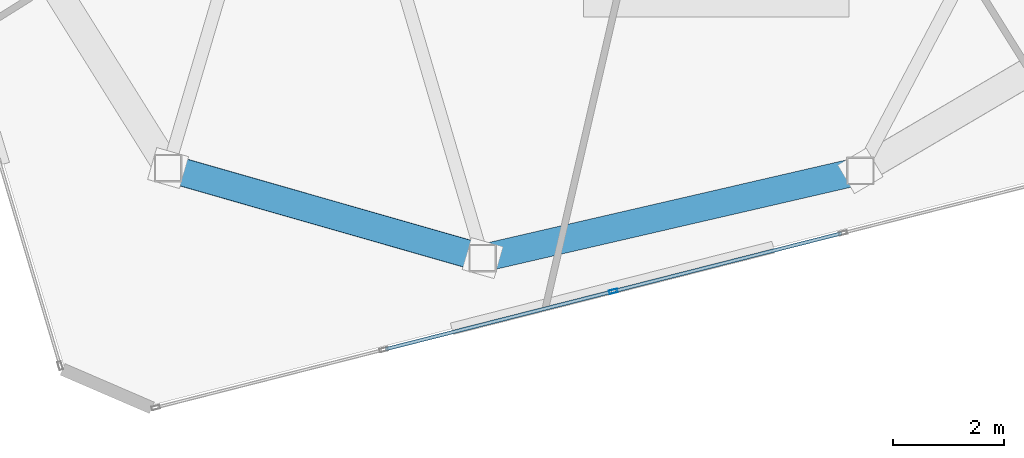
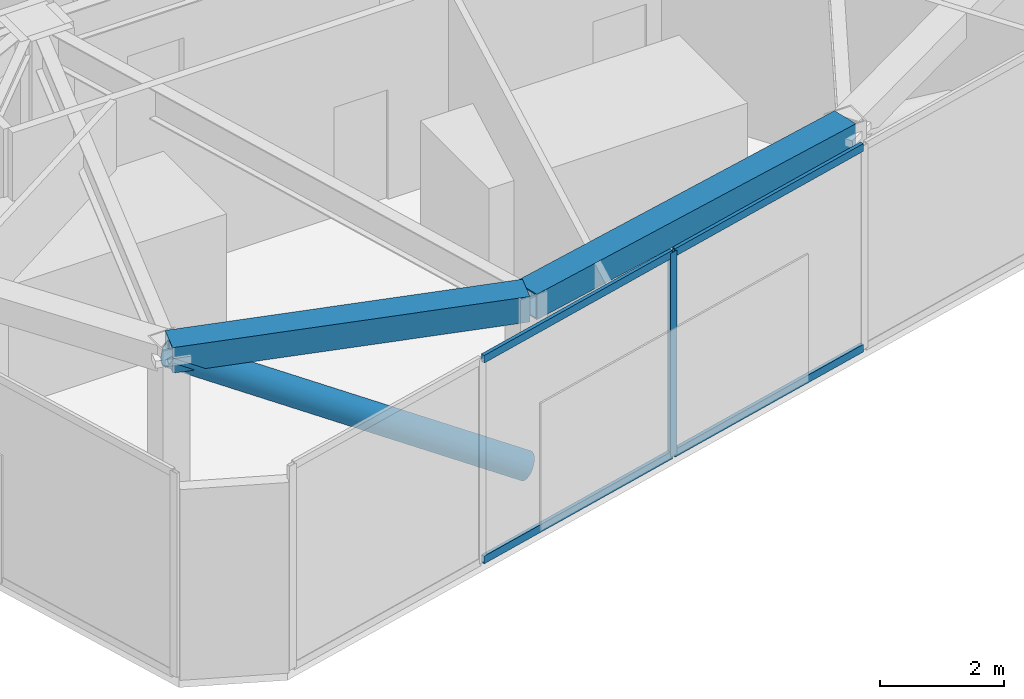
# One storey, part 3 of 21: 6 members, 2 beams, 1 element without a shape of its own.
"""IFC4 building model written with IfcOpenShell, lengths in metres."""

from ifc_helpers import new_model, si_unit, direction, frame, origin, origin_2d, place, context, subcontext, project, spatial, hollow_rectangle, hollow_circle, extrude, source, transform, mapped, material, layer, layer_set, material_profile, profile_set, type_object, type_shapes, element, aggregate, save


model = new_model("IFC4")

# Units and contexts
model_context = context("Model", 3, precision=1e-05, world=origin(), true_north=direction((0.0, 1.0)))
body_context = subcontext(model_context, "Body", "Model", "MODEL_VIEW")
ifc_project = project(units=[si_unit("LENGTHUNIT", "METRE"), si_unit("AREAUNIT", "SQUARE_METRE"), si_unit("VOLUMEUNIT", "CUBIC_METRE"), si_unit("PLANEANGLEUNIT", "RADIAN"), si_unit("MASSUNIT", "GRAM", prefix="KILO")], contexts=[model_context])

# Site, building, storey
site_placement = place(None, origin())
site = spatial("IfcSite", under=ifc_project, at=site_placement, CompositionType="ELEMENT")
building_placement = place(site_placement, origin())
building = spatial("IfcBuilding", under=site, at=building_placement, Name="Talar Marvaseh", CompositionType="ELEMENT")
storey_placement = place(building_placement, frame((0.0, 0.0, 300.0)))
storey = spatial("IfcBuildingStorey", under=building, at=storey_placement, Name="L80", CompositionType="ELEMENT", Elevation=300.0)

# Beams
ifc_material_1 = material(Name="Steel S460", Category="steel")
ifc_material_profile_1 = material_profile(ifc_material_1, hollow_rectangle(XDim=0.5, YDim=0.5, WallThickness=0.02490234375, at=origin_2d()), Name="BOX500x500x25")
ifc_profile_set_1 = profile_set([ifc_material_profile_1], Name="Steel S460")
beam_type = type_object("IfcBeamType", Name="Crown Frame Top Ring Beam BOX500x500x25", PredefinedType="BEAM", material=ifc_profile_set_1)
beam_1_placement = place(storey_placement, frame((28.60498046875, 16.616943359375, 3.489990234375), z_axis=(-0.974361245946, -0.22498924952, 0.0), x_axis=(0.22498924952, -0.974361245946, 0.0)))
element("IfcBeam", 1, at=beam_1_placement, inside=storey, type_object=beam_type, Name="L80 Crown Frame Top Ring Beam BOX500x500x25", PredefinedType="BEAM", context=body_context, shape_type="SweptSolid", body=[
    extrude(hollow_rectangle(XDim=0.5, YDim=0.5, WallThickness=0.02490234375, at=origin_2d()), origin(), (0.0, 0.0, 1.0), 7.0087890625),
])
beam_2_placement = place(storey_placement, frame((21.77587890625, 15.0400390625, 3.489990234375), z_axis=(-0.961411768303, 0.275113452538, 0.0), x_axis=(-0.275113452538, -0.961411768303, 0.0)))
element("IfcBeam", 2, at=beam_2_placement, inside=storey, type_object=beam_type, Name="L80 Crown Frame Top Ring Beam BOX500x500x25", PredefinedType="BEAM", context=body_context, shape_type="SweptSolid", body=[
    extrude(hollow_rectangle(XDim=0.5, YDim=0.5, WallThickness=0.02490234375, at=origin_2d()), origin(), (0.0, 0.0, 1.0), 5.917236328125),
])

# Member
ifc_material_profile_2 = material_profile(ifc_material_1, hollow_circle(Radius=0.25390625, WallThickness=0.02001953125, at=origin_2d()), Name="CHS508x20")
ifc_profile_set_2 = profile_set([ifc_material_profile_2], Name="Steel S460")
member_type_1 = type_object("IfcMemberType", Name="Crown Frame Diagonal Brace CHS508x20", PredefinedType="BRACE", material=ifc_profile_set_2)
shared_shape_1 = source(origin(), body_context, "Body", "SweptSolid", [
    extrude(hollow_circle(Radius=0.25390625, WallThickness=0.02001953125, at=origin_2d()), origin(), (0.0, 0.0, 1.0), 6.746337890625),
])
type_shapes(member_type_1, [shared_shape_1])
member_1_placement = place(storey_placement, frame((21.77587890625, 15.0400390625, 0.25), z_axis=(-0.843276948152, 0.241308500999, 0.480264714571), x_axis=(-0.275113452538, -0.961411768303, 0.0)))
element("IfcMember", 3, at=member_1_placement, inside=storey, type_object=member_type_1, Name="L80 Crown Frame Diagonal Brace 11", PredefinedType="BRACE", context=body_context, shape_type="MappedRepresentation", body=[
    mapped(shared_shape_1, transform((0.0, 0.0, 0.0), x_axis=(1.0, 0.0, 0.0), y_axis=(0.0, 1.0, 0.0), z_axis=(0.0, 0.0, 1.0), scale=1.0)),
])

# Curtain wall, members
ifc_material_2 = material(Name="Architectural Aluminium", Category="aluminium")
ifc_layer = layer(ifc_material_2, 0.2099609375)
ifc_layer_set = layer_set([ifc_layer], Name="Architectural Aluminium")
curtain_wall_type = type_object("IfcCurtainWallType", Name="Crown Plant Acoustic Spandrel Curtain Wall", PredefinedType="NOTDEFINED", material=ifc_layer_set)
curtain_wall_placement = place(storey_placement, origin())
curtain_wall = element("IfcCurtainWall", 4, at=curtain_wall_placement, inside=storey, type_object=curtain_wall_type, Name="L80 Crown Plant Acoustic Spandrel Curtain Wall", PredefinedType="NOTDEFINED")
ifc_material_profile_3 = material_profile(ifc_material_2, hollow_rectangle(XDim=0.06494140625, YDim=0.14990234375, WallThickness=0.00390625, at=origin_2d()), Name="RHS150x65x4")
ifc_profile_set_3 = profile_set([ifc_material_profile_3], Name="Architectural Aluminium")
member_type_2 = type_object("IfcMemberType", Name="Unitised Curtain Wall Slim Transom RHS150x65x4", PredefinedType="USERDEFINED", material=ifc_profile_set_3)
shared_shape_2 = source(origin(), body_context, "Body", "SweptSolid", [
    extrude(hollow_rectangle(XDim=0.06494140625, YDim=0.14990234375, WallThickness=0.00390625, at=origin_2d()), origin(), (0.0, 0.0, 1.0), 4.221435546875),
])
member_2_placement = place(storey_placement, frame((28.262939453125, 15.487548828125, 0.032470703125), z_axis=(-0.969189361132, -0.246316833098, 0.0), x_axis=(0.246316833098, -0.969189361132, 0.0)))
member_2 = element("IfcMember", 5, at=member_2_placement, type_object=member_type_2, Name="CW-CRN transom 2.1", ObjectType="TRANSOM", PredefinedType="USERDEFINED", context=body_context, shape_type="MappedRepresentation", body=[
    mapped(shared_shape_2, transform((0.0, 0.0, 0.0), x_axis=(1.0, 0.0, 0.0), y_axis=(0.0, 1.0, 0.0), z_axis=(0.0, 0.0, 1.0), scale=1.0)),
])
member_3_placement = place(storey_placement, frame((28.262939453125, 15.487548828125, 3.967529296875), z_axis=(-0.969189361132, -0.246316833098, 0.0), x_axis=(0.246316833098, -0.969189361132, 0.0)))
member_3 = element("IfcMember", 6, at=member_3_placement, type_object=member_type_2, Name="CW-CRN transom 2.2", ObjectType="TRANSOM", PredefinedType="USERDEFINED", context=body_context, shape_type="MappedRepresentation", body=[
    mapped(shared_shape_2, transform((0.0, 0.0, 0.0), x_axis=(1.0, 0.0, 0.0), y_axis=(0.0, 1.0, 0.0), z_axis=(0.0, 0.0, 1.0), scale=1.0)),
])
shared_shape_3 = source(origin(), body_context, "Body", "SweptSolid", [
    extrude(hollow_rectangle(XDim=0.06494140625, YDim=0.14990234375, WallThickness=0.00390625, at=origin_2d()), origin(), (0.0, 0.0, 1.0), 4.22119140625),
])
type_shapes(member_type_2, [shared_shape_2, shared_shape_3])
member_4_placement = place(storey_placement, frame((24.108642578125, 14.431640625, 0.032470703125), z_axis=(-0.969203166484, -0.246262506438, 0.0), x_axis=(0.246262506438, -0.969203166484, 0.0)))
member_4 = element("IfcMember", 7, at=member_4_placement, type_object=member_type_2, Name="CW-CRN transom 3.1", ObjectType="TRANSOM", PredefinedType="USERDEFINED", context=body_context, shape_type="MappedRepresentation", body=[
    mapped(shared_shape_3, transform((0.0, 0.0, 0.0), x_axis=(1.0, 0.0, 0.0), y_axis=(0.0, 1.0, 0.0), z_axis=(0.0, 0.0, 1.0), scale=1.0)),
])
member_5_placement = place(storey_placement, frame((24.108642578125, 14.431640625, 3.967529296875), z_axis=(-0.969203166484, -0.246262506438, 0.0), x_axis=(0.246262506438, -0.969203166484, 0.0)))
member_5 = element("IfcMember", 8, at=member_5_placement, type_object=member_type_2, Name="CW-CRN transom 3.2", ObjectType="TRANSOM", PredefinedType="USERDEFINED", context=body_context, shape_type="MappedRepresentation", body=[
    mapped(shared_shape_3, transform((0.0, 0.0, 0.0), x_axis=(1.0, 0.0, 0.0), y_axis=(0.0, 1.0, 0.0), z_axis=(0.0, 0.0, 1.0), scale=1.0)),
])
ifc_material_profile_4 = material_profile(ifc_material_2, hollow_rectangle(XDim=0.06494140625, YDim=0.14990234375, WallThickness=0.00390625, at=origin_2d()), Name="RHS150x65x4")
ifc_profile_set_4 = profile_set([ifc_material_profile_4], Name="Architectural Aluminium")
member_type_3 = type_object("IfcMemberType", Name="Unitised Curtain Wall Slim Mullion RHS150x65x4", PredefinedType="MULLION", material=ifc_profile_set_4)
shared_shape_4 = source(origin(), body_context, "Body", "SweptSolid", [
    extrude(hollow_rectangle(XDim=0.06494140625, YDim=0.14990234375, WallThickness=0.00390625, at=origin_2d()), origin(), (0.0, 0.0, 1.0), 4.0),
])
type_shapes(member_type_3, [shared_shape_4])
member_6_placement = place(storey_placement, frame((24.14013671875, 14.439697265625, 0.0), z_axis=(0.0, 0.0, 1.0), x_axis=(0.246303694064, -0.969192700287, 0.0)))
member_6 = element("IfcMember", 9, at=member_6_placement, type_object=member_type_3, Name="CW-CRN mullion 3", PredefinedType="MULLION", context=body_context, shape_type="MappedRepresentation", body=[
    mapped(shared_shape_4, transform((0.0, 0.0, 0.0), x_axis=(1.0, 0.0, 0.0), y_axis=(0.0, 1.0, 0.0), z_axis=(0.0, 0.0, 1.0), scale=1.0)),
])
aggregate(curtain_wall, [member_6, member_2, member_3, member_4, member_5])

save(model, "model.ifc")
